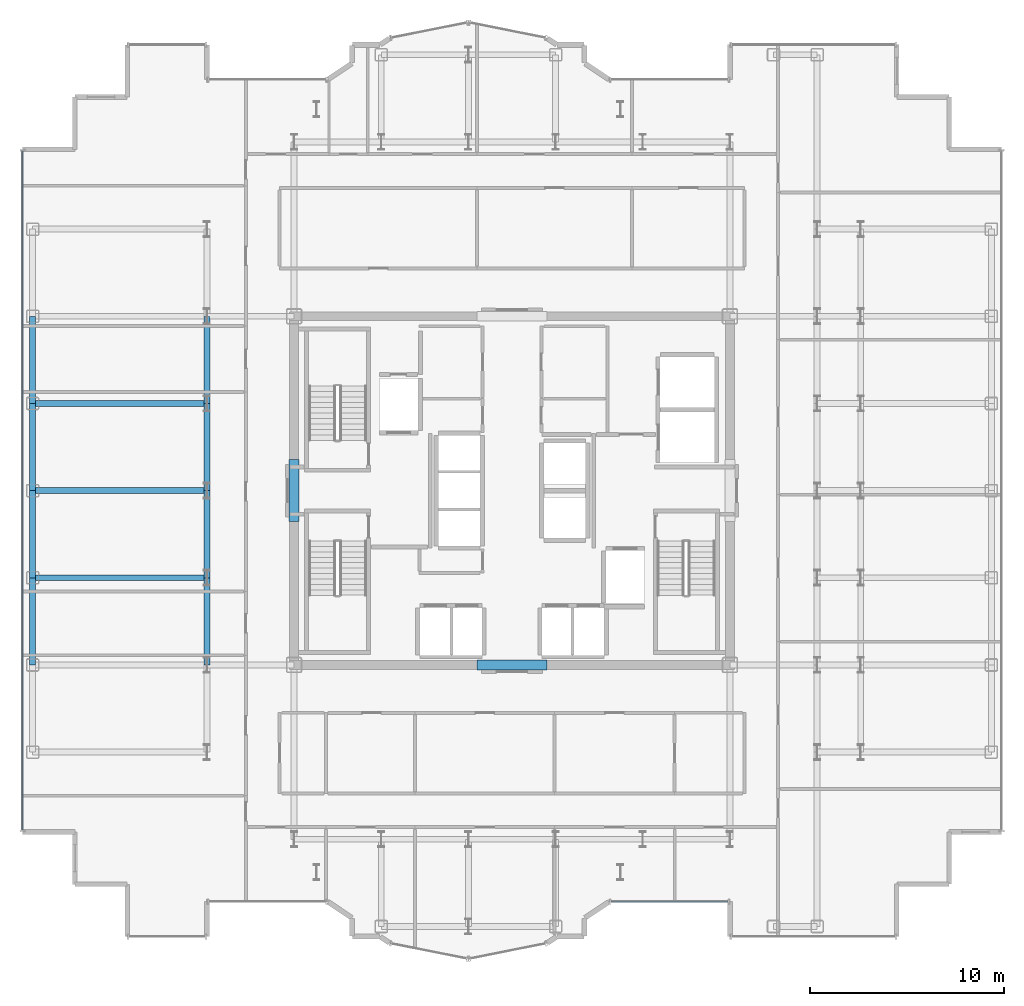
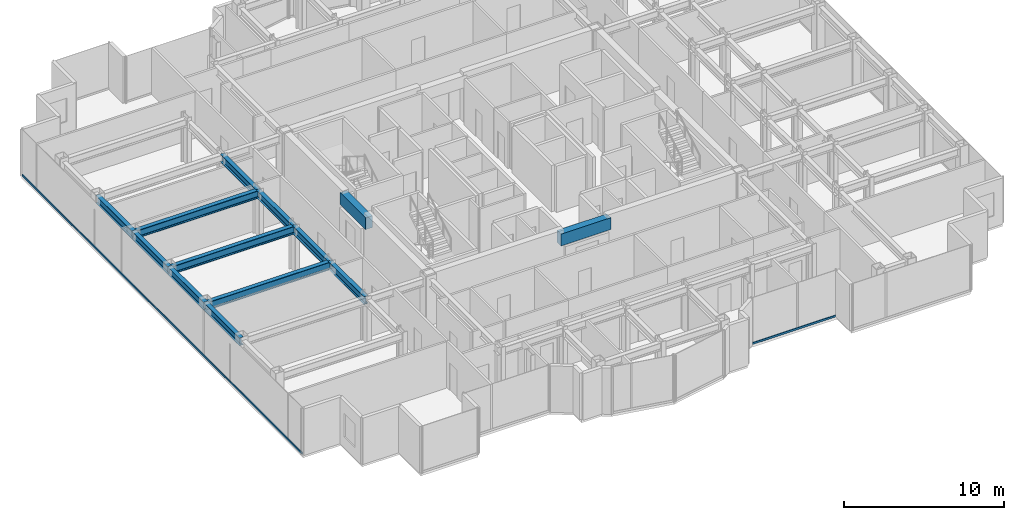
# One storey, part 4 of 20: 13 beams, 2 members, 2 elements without a shape of their own.
"""IFC4 building model written with IfcOpenShell, lengths in metres."""

from ifc_helpers import new_model, si_unit, direction, frame, origin, origin_2d, place, context, subcontext, project, spatial, rectangle, hollow_rectangle, i_section, extrude, source, transform, mapped, material, layer, layer_set, material_profile, profile_set, type_object, element, aggregate, save


model = new_model("IFC4")

# Units and contexts
model_context = context("Model", 3, precision=1e-05, world=origin(), true_north=direction((0.0, 1.0)))
body_context = subcontext(model_context, "Body", "Model", "MODEL_VIEW")
ifc_project = project(units=[si_unit("LENGTHUNIT", "METRE"), si_unit("AREAUNIT", "SQUARE_METRE"), si_unit("VOLUMEUNIT", "CUBIC_METRE"), si_unit("PLANEANGLEUNIT", "RADIAN"), si_unit("MASSUNIT", "GRAM", prefix="KILO")], contexts=[model_context])

# Site, building, storey
site_placement = place(None, origin())
site = spatial("IfcSite", under=ifc_project, at=site_placement, CompositionType="ELEMENT")
building_placement = place(site_placement, origin())
building = spatial("IfcBuilding", under=site, at=building_placement, Name="Nefas-Gora Pilgrimage Tower", CompositionType="ELEMENT")
storey_placement = place(building_placement, frame((0.0, 0.0, 237.0)))
storey = spatial("IfcBuildingStorey", under=building, at=storey_placement, Name="L59", CompositionType="ELEMENT", Elevation=237.0)

# Beams
ifc_material_1 = material(Name="Concrete C50/60", Category="concrete")
ifc_material_profile_1 = material_profile(ifc_material_1, rectangle(XDim=0.5, YDim=0.89990234375, at=origin_2d()), Name="RC 500x900")
ifc_profile_set_1 = profile_set([ifc_material_profile_1], Name="Concrete C50/60")
beam_type_1 = type_object("IfcBeamType", Name="BM-LIN-RC900", PredefinedType="LINTEL", material=ifc_profile_set_1)
shared_shape_1 = source(origin(), body_context, "Body", "SweptSolid", [
    extrude(rectangle(XDim=0.5, YDim=0.89990234375, at=origin_2d()), origin(), (0.0, 0.0, 1.0), 3.60009765625),
])
beam_1_placement = place(storey_placement, frame((-1.800048828125, -9.0, 3.10009765625), z_axis=(1.0, 0.0, 0.0), x_axis=(0.0, 1.0, 0.0)))
element("IfcBeam", 1, at=beam_1_placement, inside=storey, type_object=beam_type_1, Name="L59 Core Coupling Lintel Beam S", PredefinedType="LINTEL", context=body_context, shape_type="MappedRepresentation", body=[
    mapped(shared_shape_1, transform((0.0, 0.0, 0.0), x_axis=(1.0, 0.0, 0.0), y_axis=(0.0, 1.0, 0.0), z_axis=(0.0, 0.0, 1.0), scale=1.0)),
])
shared_shape_2 = source(origin(), body_context, "Body", "SweptSolid", [
    extrude(rectangle(XDim=0.5, YDim=0.89990234375, at=origin_2d()), origin(), (0.0, 0.0, 1.0), 3.2001953125),
])
beam_2_placement = place(storey_placement, frame((-11.25, -1.60009765625, 3.10009765625), z_axis=(0.0, 1.0, 0.0), x_axis=(-1.0, 0.0, 0.0)))
element("IfcBeam", 2, at=beam_2_placement, inside=storey, type_object=beam_type_1, Name="L59 Core Coupling Lintel Beam W", PredefinedType="LINTEL", context=body_context, shape_type="MappedRepresentation", body=[
    mapped(shared_shape_2, transform((0.0, 0.0, 0.0), x_axis=(1.0, 0.0, 0.0), y_axis=(0.0, 1.0, 0.0), z_axis=(0.0, 0.0, 1.0), scale=1.0)),
])
ifc_material_2 = material(Name="Steel S355", Category="steel")
ifc_material_profile_2 = material_profile(ifc_material_2, i_section(OverallWidth=0.300048828125, OverallDepth=0.60009765625, WebThickness=0.015380859375, FlangeThickness=0.030029296875, FilletRadius=0.027099609375, at=origin_2d()), Name="HEB 600")
ifc_profile_set_2 = profile_set([ifc_material_profile_2], Name="Steel S355")
beam_type_2 = type_object("IfcBeamType", Name="BM-SPN-HEB450", PredefinedType="SPANDREL", material=ifc_profile_set_2)
shared_shape_3 = source(origin(), body_context, "Body", "SweptSolid", [
    extrude(i_section(OverallWidth=0.300048828125, OverallDepth=0.60009765625, WebThickness=0.015380859375, FlangeThickness=0.030029296875, FilletRadius=0.027099609375, at=origin_2d()), origin(), (0.0, 0.0, 1.0), 4.5),
])
for number, where, z_axis, x_axis, name in (
    (3, (-24.75, -9.0, 3.25), (0.0, 1.0, 0.0), (-1.0, 0.0, 0.0), "L59 SP-03 beam"),
    (4, (-24.75, -4.5, 3.25), (0.0, 1.0, 0.0), (-1.0, 0.0, 0.0), "L59 SP-03 beam"),
    (5, (-24.75, 0.0, 3.25), (0.0, 1.0, 0.0), (-1.0, 0.0, 0.0), "L59 SP-03 beam"),
    (6, (-24.75, 4.5, 3.25), (0.0, 1.0, 0.0), (-1.0, 0.0, 0.0), "L59 SP-03 beam"),
):
    element("IfcBeam", number, at=place(storey_placement, frame(where, z_axis=z_axis, x_axis=x_axis)), inside=storey, type_object=beam_type_2, Name=name, PredefinedType="SPANDREL", context=body_context, shape_type="MappedRepresentation", body=[
        mapped(shared_shape_3, transform((0.0, 0.0, 0.0), x_axis=(1.0, 0.0, 0.0), y_axis=(0.0, 1.0, 0.0), z_axis=(0.0, 0.0, 1.0), scale=1.0)),
    ])
ifc_material_profile_3 = material_profile(ifc_material_2, i_section(OverallWidth=0.300048828125, OverallDepth=0.60009765625, WebThickness=0.015380859375, FlangeThickness=0.030029296875, FilletRadius=0.027099609375, at=origin_2d()), Name="HEB 600")
ifc_profile_set_3 = profile_set([ifc_material_profile_3], Name="Steel S355")
beam_type_3 = type_object("IfcBeamType", Name="BM-GIR-HEB600", PredefinedType="BEAM", material=ifc_profile_set_3)
shared_shape_4 = source(origin(), body_context, "Body", "SweptSolid", [
    extrude(i_section(OverallWidth=0.300048828125, OverallDepth=0.60009765625, WebThickness=0.015380859375, FlangeThickness=0.030029296875, FilletRadius=0.027099609375, at=origin_2d()), origin(), (0.0, 0.0, 1.0), 9.0),
])
for number, where, z_axis, x_axis, name in (
    (7, (-24.75, -4.5, 3.25), (1.0, 0.0, 0.0), (0.0, 1.0, 0.0), "L59 G-04 beam"),
    (8, (-24.75, 0.0, 3.25), (1.0, 0.0, 0.0), (0.0, 1.0, 0.0), "L59 G-04 beam"),
    (9, (-24.75, 4.5, 3.25), (1.0, 0.0, 0.0), (0.0, 1.0, 0.0), "L59 G-04 beam"),
):
    element("IfcBeam", number, at=place(storey_placement, frame(where, z_axis=z_axis, x_axis=x_axis)), inside=storey, type_object=beam_type_3, Name=name, PredefinedType="BEAM", context=body_context, shape_type="MappedRepresentation", body=[
        mapped(shared_shape_4, transform((0.0, 0.0, 0.0), x_axis=(1.0, 0.0, 0.0), y_axis=(0.0, 1.0, 0.0), z_axis=(0.0, 0.0, 1.0), scale=1.0)),
    ])
shared_shape_5 = source(origin(), body_context, "Body", "SweptSolid", [
    extrude(i_section(OverallWidth=0.300048828125, OverallDepth=0.60009765625, WebThickness=0.015380859375, FlangeThickness=0.030029296875, FilletRadius=0.027099609375, at=origin_2d()), origin(), (0.0, 0.0, 1.0), 4.5),
])
for number, where, z_axis, x_axis, name in (
    (10, (-15.75, -9.0, 3.25), (0.0, 1.0, 0.0), (-1.0, 0.0, 0.0), "L59 G-04 beam"),
    (11, (-15.75, -4.5, 3.25), (0.0, 1.0, 0.0), (-1.0, 0.0, 0.0), "L59 G-04 beam"),
    (12, (-15.75, 0.0, 3.25), (0.0, 1.0, 0.0), (-1.0, 0.0, 0.0), "L59 G-04 beam"),
    (13, (-15.75, 4.5, 3.25), (0.0, 1.0, 0.0), (-1.0, 0.0, 0.0), "L59 G-04 beam"),
):
    element("IfcBeam", number, at=place(storey_placement, frame(where, z_axis=z_axis, x_axis=x_axis)), inside=storey, type_object=beam_type_3, Name=name, PredefinedType="BEAM", context=body_context, shape_type="MappedRepresentation", body=[
        mapped(shared_shape_5, transform((0.0, 0.0, 0.0), x_axis=(1.0, 0.0, 0.0), y_axis=(0.0, 1.0, 0.0), z_axis=(0.0, 0.0, 1.0), scale=1.0)),
    ])

# Curtain wall, member
ifc_material_3 = material(Name="Dark ceramic-fritted solar-control aluminium-glass curtain wall", Category="aluminium")
ifc_layer_1 = layer(ifc_material_3, 0.219970703125)
ifc_layer_set_1 = layer_set([ifc_layer_1], Name="Dark ceramic-fritted solar-control aluminium-glass curtain wall")
curtain_wall_type_1 = type_object("IfcCurtainWallType", Name="CW-SYS-5", PredefinedType="NOTDEFINED", material=ifc_layer_set_1)
curtain_wall_1_placement = place(storey_placement, origin())
curtain_wall_1 = element("IfcCurtainWall", 14, at=curtain_wall_1_placement, inside=storey, type_object=curtain_wall_type_1, Name="L59 Unitised Curtain Wall CW5", PredefinedType="NOTDEFINED")
ifc_material_4 = material(Name="Anodised architectural aluminium", Category="aluminium")
ifc_material_profile_4 = material_profile(ifc_material_4, hollow_rectangle(XDim=0.080078125, YDim=0.159912109375, WallThickness=0.00439453125, InnerFilletRadius=0.00439453125, OuterFilletRadius=0.009033203125, at=origin_2d()), Name="ALU TRANSOM 80x160")
ifc_profile_set_4 = profile_set([ifc_material_profile_4], Name="Anodised architectural aluminium")
member_type_1 = type_object("IfcMemberType", Name="CWM-TRN-5", PredefinedType="USERDEFINED", material=ifc_profile_set_4)
shared_shape_6 = source(origin(), body_context, "Body", "SweptSolid", [
    extrude(hollow_rectangle(XDim=0.080078125, YDim=0.159912109375, WallThickness=0.00439453125, InnerFilletRadius=0.00439453125, OuterFilletRadius=0.009033203125, at=origin_2d()), origin(), (0.0, 0.0, 1.0), 6.052001953125),
])
member_1_placement = place(storey_placement, frame((5.10791015625, -21.219970703125, 0.050048828125), z_axis=(1.0, 0.0, 0.0), x_axis=(0.0, 1.0, 0.0)))
member_1 = element("IfcMember", 15, at=member_1_placement, type_object=member_type_1, Name="CW5 Spandrel Transom", ObjectType="TRANSOM", PredefinedType="USERDEFINED", context=body_context, shape_type="MappedRepresentation", body=[
    mapped(shared_shape_6, transform((0.0, 0.0, 0.0), x_axis=(1.0, 0.0, 0.0), y_axis=(0.0, 1.0, 0.0), z_axis=(0.0, 0.0, 1.0), scale=1.0)),
])
aggregate(curtain_wall_1, [member_1])

ifc_layer_2 = layer(ifc_material_3, 0.219970703125)
ifc_layer_set_2 = layer_set([ifc_layer_2], Name="Dark ceramic-fritted solar-control aluminium-glass curtain wall")
curtain_wall_type_2 = type_object("IfcCurtainWallType", Name="CW-SYS-3", PredefinedType="NOTDEFINED", material=ifc_layer_set_2)
curtain_wall_2_placement = place(storey_placement, origin())
curtain_wall_2 = element("IfcCurtainWall", 16, at=curtain_wall_2_placement, inside=storey, type_object=curtain_wall_type_2, Name="L59 Unitised Curtain Wall CW3", PredefinedType="NOTDEFINED")
ifc_material_profile_5 = material_profile(ifc_material_4, hollow_rectangle(XDim=0.080078125, YDim=0.159912109375, WallThickness=0.00439453125, InnerFilletRadius=0.00439453125, OuterFilletRadius=0.009033203125, at=origin_2d()), Name="ALU TRANSOM 80x160")
ifc_profile_set_5 = profile_set([ifc_material_profile_5], Name="Anodised architectural aluminium")
member_type_2 = type_object("IfcMemberType", Name="CWM-TRN-3", PredefinedType="USERDEFINED", material=ifc_profile_set_5)
shared_shape_7 = source(origin(), body_context, "Body", "SweptSolid", [
    extrude(hollow_rectangle(XDim=0.080078125, YDim=0.159912109375, WallThickness=0.00439453125, InnerFilletRadius=0.00439453125, OuterFilletRadius=0.009033203125, at=origin_2d()), origin(), (0.0, 0.0, 1.0), 35.06005859375),
])
member_2_placement = place(storey_placement, frame((-25.27001953125, 17.530029296875, 0.050048828125), z_axis=(0.0, -1.0, 0.0), x_axis=(1.0, 0.0, 0.0)))
member_2 = element("IfcMember", 17, at=member_2_placement, type_object=member_type_2, Name="CW3 Spandrel Transom", ObjectType="TRANSOM", PredefinedType="USERDEFINED", context=body_context, shape_type="MappedRepresentation", body=[
    mapped(shared_shape_7, transform((0.0, 0.0, 0.0), x_axis=(1.0, 0.0, 0.0), y_axis=(0.0, 1.0, 0.0), z_axis=(0.0, 0.0, 1.0), scale=1.0)),
])
aggregate(curtain_wall_2, [member_2])

save(model, "model.ifc")
